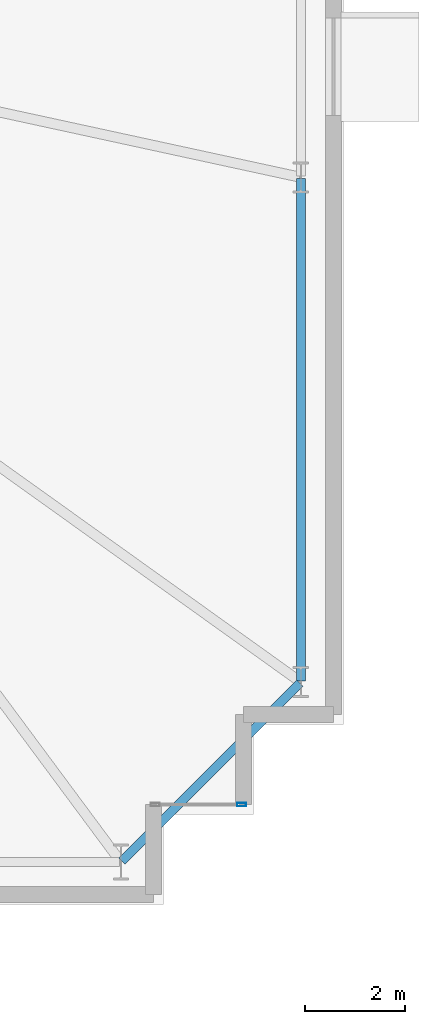
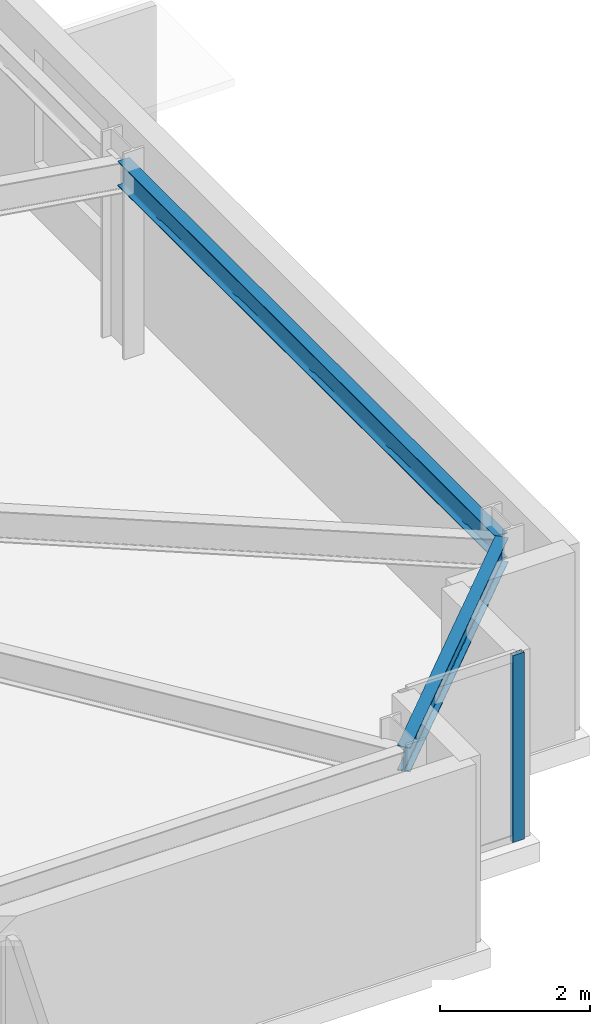
# One storey, part 10 of 22: 2 beams, 1 member, 1 element without a shape of its own.
"""IFC4 building model written with IfcOpenShell, lengths in metres."""

from ifc_helpers import new_model, si_unit, direction, frame, origin, origin_2d, place, context, subcontext, project, spatial, hollow_rectangle, i_section, extrude, material, layer, layer_set, material_profile, profile_set, type_object, element, aggregate, save


model = new_model("IFC4")

# Units and contexts
model_context = context("Model", 3, precision=1e-05, world=origin(), true_north=direction((0.0, 1.0)))
body_context = subcontext(model_context, "Body", "Model", "MODEL_VIEW")
ifc_project = project(units=[si_unit("LENGTHUNIT", "METRE"), si_unit("AREAUNIT", "SQUARE_METRE"), si_unit("VOLUMEUNIT", "CUBIC_METRE"), si_unit("PLANEANGLEUNIT", "RADIAN"), si_unit("MASSUNIT", "GRAM", prefix="KILO")], contexts=[model_context])

# Site, building, storey
site_placement = place(None, origin())
site = spatial("IfcSite", under=ifc_project, at=site_placement, CompositionType="ELEMENT")
building_placement = place(site_placement, origin())
building = spatial("IfcBuilding", under=site, at=building_placement, Name="Qobustan Lattice House", CompositionType="ELEMENT")
storey_placement = place(building_placement, frame((0.0, 0.0, 53.800048828125)))
storey = spatial("IfcBuildingStorey", under=building, at=storey_placement, Name="L14", CompositionType="ELEMENT", Elevation=53.800048828125)

# Beams
ifc_material_1 = material(Name="Steel S355", Category="steel")
ifc_material_profile_1 = material_profile(ifc_material_1, i_section(OverallWidth=0.179931640625, OverallDepth=0.39990234375, WebThickness=0.008544921875, FlangeThickness=0.013427734375, FilletRadius=0.02099609375, at=origin_2d()), Name="IPE400")
ifc_profile_set_1 = profile_set([ifc_material_profile_1], Name="Steel S355")
beam_type = type_object("IfcBeamType", Name="BM-SPD-IPE400", PredefinedType="SPANDREL", material=ifc_profile_set_1)
beam_1_placement = place(storey_placement, frame((28.567626953125, -18.732421875, 2.8349609375), z_axis=(0.707106781187, 0.707106781187, 0.0), x_axis=(-0.707106781187, 0.707106781187, 0.0)))
element("IfcBeam", 1, at=beam_1_placement, inside=storey, type_object=beam_type, Name="L14 perimeter spandrel S7-E1", PredefinedType="SPANDREL", context=body_context, shape_type="SweptSolid", body=[
    extrude(i_section(OverallWidth=0.179931640625, OverallDepth=0.39990234375, WebThickness=0.008544921875, FlangeThickness=0.013427734375, FilletRadius=0.02099609375, at=origin_2d()), origin(), (0.0, 0.0, 1.0), 5.041259765625),
])
beam_2_placement = place(storey_placement, frame((32.14990234375, -15.125, 2.8349609375), z_axis=(0.0, 1.0, 0.0), x_axis=(-1.0, 0.0, 0.0)))
element("IfcBeam", 2, at=beam_2_placement, inside=storey, type_object=beam_type, Name="L14 perimeter spandrel E1-E2", PredefinedType="SPANDREL", context=body_context, shape_type="SweptSolid", body=[
    extrude(i_section(OverallWidth=0.179931640625, OverallDepth=0.39990234375, WebThickness=0.008544921875, FlangeThickness=0.013427734375, FilletRadius=0.02099609375, at=origin_2d()), origin(), (0.0, 0.0, 1.0), 10.050048828125),
])

# Curtain wall, member
ifc_material_2 = material(Name="Anodised aluminium and low-E glazing", Category="aluminium")
ifc_layer = layer(ifc_material_2, 0.219970703125)
ifc_layer_set = layer_set([ifc_layer], Name="Anodised aluminium and low-E glazing")
curtain_wall_type = type_object("IfcCurtainWallType", Name="CW-FAC-01", PredefinedType="USERDEFINED", material=ifc_layer_set)
curtain_wall_placement = place(storey_placement, origin())
curtain_wall = element("IfcCurtainWall", 3, at=curtain_wall_placement, inside=storey, type_object=curtain_wall_type, Name="L14 serrated corner faceted glazing 18", ObjectType="CURTAIN WALL", PredefinedType="USERDEFINED")
ifc_material_3 = material(Name="Anodised aluminium EN AW-6063 T6", Category="aluminium")
ifc_material_profile_2 = material_profile(ifc_material_3, hollow_rectangle(XDim=0.070068359375, YDim=0.179931640625, WallThickness=0.00439453125, at=origin_2d()), Name="CWM-180x70")
ifc_profile_set_2 = profile_set([ifc_material_profile_2], Name="Anodised aluminium EN AW-6063 T6")
member_type = type_object("IfcMemberType", Name="CWM-STD-180", PredefinedType="MULLION", material=ifc_profile_set_2)
member_placement = place(storey_placement, frame((30.965087890625, -17.60009765625, 0.0), z_axis=(0.0, 0.0, 1.0), x_axis=(0.0, -1.0, 0.0)))
member = element("IfcMember", 4, at=member_placement, type_object=member_type, Name="CW-F1 mullion 1", PredefinedType="MULLION", context=body_context, shape_type="SweptSolid", body=[
    extrude(hollow_rectangle(XDim=0.070068359375, YDim=0.179931640625, WallThickness=0.00439453125, at=origin_2d()), origin(), (0.0, 0.0, 1.0), 3.034912109375),
])
aggregate(curtain_wall, [member])

save(model, "model.ifc")
